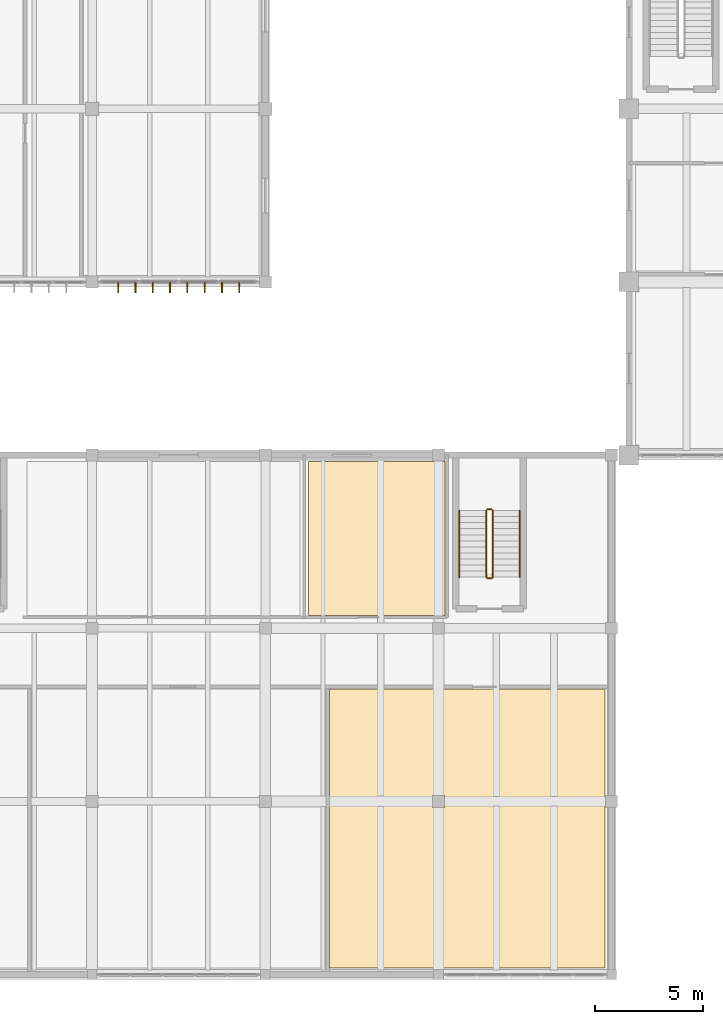
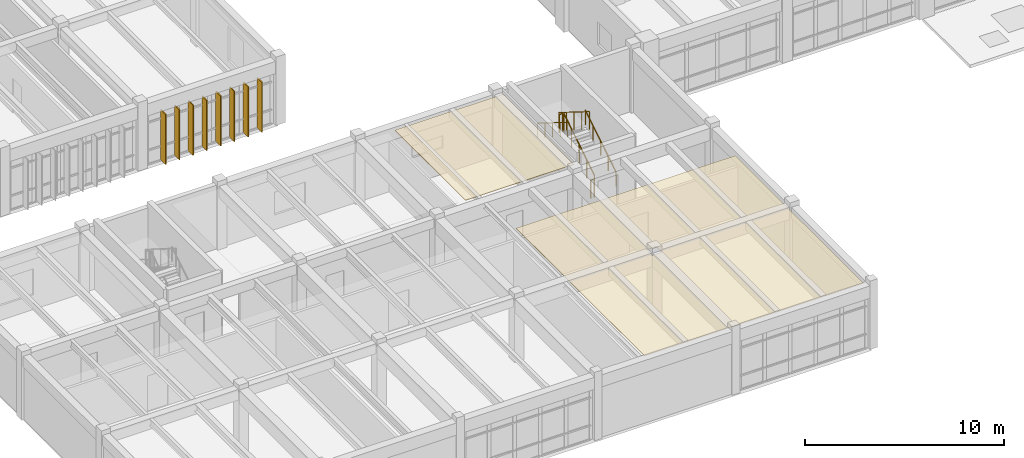
# One storey, part 54 of 67: 8 shading devices, 6 railings, 2 coverings.
"""IFC4 building model written with IfcOpenShell, lengths in metres."""

from ifc_helpers import new_model, si_unit, direction, frame, origin, origin_2d, place, context, subcontext, project, spatial, polyline, rectangle, circle, outline, extrude, material, layer, layer_set, type_object, element, save


model = new_model("IFC4")

# Units and contexts
model_context = context("Model", 3, precision=1e-05, world=origin(), true_north=direction((0.0, 1.0)))
body_context = subcontext(model_context, "Body", "Model", "MODEL_VIEW")
ifc_project = project(units=[si_unit("LENGTHUNIT", "METRE"), si_unit("AREAUNIT", "SQUARE_METRE"), si_unit("VOLUMEUNIT", "CUBIC_METRE"), si_unit("PLANEANGLEUNIT", "RADIAN"), si_unit("MASSUNIT", "GRAM", prefix="KILO")], contexts=[model_context])

# Site, building, storey
site_placement = place(None, origin())
site = spatial("IfcSite", under=ifc_project, at=site_placement, CompositionType="ELEMENT")
building_placement = place(site_placement, origin())
building = spatial("IfcBuilding", under=site, at=building_placement, Name="Tlaxcora Railside Police Headquarters", CompositionType="ELEMENT")
storey_placement = place(building_placement, frame((0.0, 0.0, 4.800048828125)))
storey = spatial("IfcBuildingStorey", under=building, at=storey_placement, Name="L01", CompositionType="ELEMENT", Elevation=4.800048828125)

# Coverings
ifc_material_1 = material(Name="Mineral-fibre acoustic ceiling tile")
ifc_layer_1 = layer(ifc_material_1, 0.034912109375, Name="Mineral-fibre acoustic ceiling tile")
ifc_layer_set_1 = layer_set([ifc_layer_1], Name="Mineral-fibre acoustic ceiling tile")
covering_type = type_object("IfcCoveringType", Name="Acoustic Suspended Ceiling CLG-01", PredefinedType="CEILING", material=ifc_layer_set_1)
covering_1_placement = place(storey_placement, frame((0.0, 0.0, 3.764892578125)))
element("IfcCovering", 1, at=covering_1_placement, inside=storey, type_object=covering_type, Name="Youth Outreach and Mediation Room suspended ceiling", PredefinedType="CEILING", context=body_context, shape_type="SweptSolid", body=[
    extrude(outline(polyline([(32.175048828125, 12.300048828125), (44.89990234375, 12.300048828125), (44.89990234375, 25.199951171875), (32.175048828125, 25.199951171875), (32.175048828125, 12.300048828125)]), holes=[polyline([(37.485107421875, 19.715087890625), (36.9150390625, 19.715087890625), (36.9150390625, 20.284912109375), (37.485107421875, 20.284912109375), (37.485107421875, 19.715087890625)])]), origin(), (0.0, 0.0, 1.0), 0.03515625),
])
covering_2_placement = place(storey_placement, frame((0.0, 0.0, 3.764892578125)))
element("IfcCovering", 2, at=covering_2_placement, inside=storey, type_object=covering_type, Name="Accessible WC and Restrooms V4 L01 suspended ceiling", PredefinedType="CEILING", context=body_context, shape_type="SweptSolid", body=[
    extrude(outline(polyline([(37.5, 28.60009765625), (37.5, 35.699951171875), (31.199951171875, 35.699951171875), (31.199951171875, 28.60009765625), (37.5, 28.60009765625)])), origin(), (0.0, 0.0, 1.0), 0.03515625),
])

# Shading devices
ifc_material_2 = material(Name="Anodised aluminium framing", Category="aluminium")
ifc_layer_2 = layer(ifc_material_2, 0.054931640625, Name="Anodised aluminium framing")
ifc_layer_set_2 = layer_set([ifc_layer_2], Name="Anodised aluminium framing")
shading_device_type = type_object("IfcShadingDeviceType", Name="Solar Control Fin SF-01", PredefinedType="JALOUSIE", material=ifc_layer_set_2)
for number, where, z_axis, x_axis, name in (
    (3, (22.39990234375, 43.739990234375, 0.039794921875), (0.0, 0.0, 1.0), (0.0, -1.0, 0.0), "Vertical solar fin 17"),
    (4, (23.199951171875, 43.739990234375, 0.039794921875), (0.0, 0.0, 1.0), (0.0, -1.0, 0.0), "Vertical solar fin 18"),
    (5, (24.0, 43.739990234375, 0.039794921875), (0.0, 0.0, 1.0), (0.0, -1.0, 0.0), "Vertical solar fin 19"),
    (6, (24.800048828125, 43.739990234375, 0.039794921875), (0.0, 0.0, 1.0), (0.0, -1.0, 0.0), "Vertical solar fin 20"),
    (7, (25.60009765625, 43.739990234375, 0.039794921875), (0.0, 0.0, 1.0), (0.0, -1.0, 0.0), "Vertical solar fin 21"),
    (8, (26.39990234375, 43.739990234375, 0.039794921875), (0.0, 0.0, 1.0), (0.0, -1.0, 0.0), "Vertical solar fin 22"),
    (9, (27.199951171875, 43.739990234375, 0.039794921875), (0.0, 0.0, 1.0), (0.0, -1.0, 0.0), "Vertical solar fin 23"),
    (10, (28.0, 43.739990234375, 0.039794921875), (0.0, 0.0, 1.0), (0.0, -1.0, 0.0), "Vertical solar fin 24"),
):
    element("IfcShadingDevice", number, at=place(storey_placement, frame(where, z_axis=z_axis, x_axis=x_axis)), inside=storey, type_object=shading_device_type, Name=name, PredefinedType="JALOUSIE", context=body_context, shape_type="SweptSolid", body=[
        extrude(rectangle(XDim=0.47998046875, YDim=0.054931640625, at=origin_2d()), origin(), (0.0, 0.0, 1.0), 3.080078125),
    ])

# Railings
ifc_material_3 = material(Name="Steel ASTM A992 Grade 50", Category="steel")
railing_type_1 = type_object("IfcRailingType", Name="Stair Well Guard Balustrade GR-02", PredefinedType="BALUSTRADE", material=ifc_material_3)
railing_1_placement = place(storey_placement, frame((39.7099609375, 30.360107421875, 0.175048828125)))
element("IfcRailing", 11, at=railing_1_placement, inside=storey, type_object=railing_type_1, Name="L01 ST10 stair guard 1", PredefinedType="BALUSTRADE", context=body_context, shape_type="SweptSolid", body=[
    extrude(circle(Radius=0.02392578125, at=origin_2d()), frame((0.0, 0.0, 1.09619140625), z_axis=(0.0, 0.848009633417, 0.529980812513), x_axis=(-1.0, 0.0, 0.0)), (0.0, 0.0, 1.0), 3.6318359375),
    extrude(circle(Radius=0.02099609375, at=origin_2d()), origin(), (0.0, 0.0, 1.0), 1.072021484375),
    extrude(circle(Radius=0.02099609375, at=origin_2d()), frame((0.0, 0.77001953125, 0.481201171875)), (0.0, 0.0, 1.0), 1.072021484375),
    extrude(circle(Radius=0.02099609375, at=origin_2d()), frame((0.0, 1.5400390625, 0.96240234375)), (0.0, 0.0, 1.0), 1.072021484375),
    extrude(circle(Radius=0.02099609375, at=origin_2d()), frame((0.0, 2.309814453125, 1.443603515625)), (0.0, 0.0, 1.0), 1.072021484375),
    extrude(circle(Radius=0.02099609375, at=origin_2d()), frame((0.0, 3.079833984375, 1.9248046875)), (0.0, 0.0, 1.0), 1.072021484375),
])
railing_2_placement = place(storey_placement, frame((39.659912109375, 33.489990234375, 2.099853515625)))
element("IfcRailing", 12, at=railing_2_placement, inside=storey, type_object=railing_type_1, Name="L01 ST10 stair guard 2", PredefinedType="BALUSTRADE", context=body_context, shape_type="SweptSolid", body=[
    extrude(circle(Radius=0.02392578125, at=origin_2d()), frame((0.0, 0.0, 1.09619140625), z_axis=(-1.0, 0.0, 0.0), x_axis=(0.0, -1.0, 0.0)), (0.0, 0.0, 1.0), 0.199951171875),
    extrude(circle(Radius=0.02099609375, at=origin_2d()), origin(), (0.0, 0.0, 1.0), 1.072021484375),
    extrude(circle(Radius=0.02099609375, at=origin_2d()), frame((-0.199951171875, 0.0, 0.0)), (0.0, 0.0, 1.0), 1.072021484375),
])
railing_3_placement = place(storey_placement, frame((39.409912109375, 33.43994140625, 2.27490234375)))
element("IfcRailing", 13, at=railing_3_placement, inside=storey, type_object=railing_type_1, Name="L01 ST10 stair guard 3", PredefinedType="BALUSTRADE", context=body_context, shape_type="SweptSolid", body=[
    extrude(circle(Radius=0.02392578125, at=origin_2d()), frame((0.0, 0.0, 1.09619140625), z_axis=(0.0, -0.847979421464, 0.530029150871), x_axis=(1.0, 0.0, 0.0)), (0.0, 0.0, 1.0), 3.632080078125),
    extrude(circle(Radius=0.02099609375, at=origin_2d()), origin(), (0.0, 0.0, 1.0), 1.072021484375),
    extrude(circle(Radius=0.02099609375, at=origin_2d()), frame((0.0, -0.77001953125, 0.481201171875)), (0.0, 0.0, 1.0), 1.072021484375),
    extrude(circle(Radius=0.02099609375, at=origin_2d()), frame((0.0, -1.5400390625, 0.96240234375)), (0.0, 0.0, 1.0), 1.072021484375),
    extrude(circle(Radius=0.02099609375, at=origin_2d()), frame((0.0, -2.309814453125, 1.44384765625)), (0.0, 0.0, 1.0), 1.072021484375),
    extrude(circle(Radius=0.02099609375, at=origin_2d()), frame((0.0, -3.079833984375, 1.925048828125)), (0.0, 0.0, 1.0), 1.072021484375),
])
railing_4_placement = place(storey_placement, frame((39.659912109375, 30.31005859375, 0.0)))
element("IfcRailing", 14, at=railing_4_placement, inside=storey, type_object=railing_type_1, Name="L01 ST10 stair guard 4", PredefinedType="BALUSTRADE", context=body_context, shape_type="SweptSolid", body=[
    extrude(circle(Radius=0.02392578125, at=origin_2d()), frame((0.0, 0.0, 1.09619140625), z_axis=(-1.0, 0.0, 0.0), x_axis=(0.0, -1.0, 0.0)), (0.0, 0.0, 1.0), 0.199951171875),
    extrude(circle(Radius=0.02099609375, at=origin_2d()), origin(), (0.0, 0.0, 1.0), 1.072021484375),
    extrude(circle(Radius=0.02099609375, at=origin_2d()), frame((-0.199951171875, 0.0, 0.0)), (0.0, 0.0, 1.0), 1.072021484375),
])
railing_type_2 = type_object("IfcRailingType", Name="Stair and Ramp Handrail HR-01", PredefinedType="HANDRAIL", material=ifc_material_3)
railing_5_placement = place(storey_placement, frame((40.9599609375, 30.360107421875, 0.175048828125)))
element("IfcRailing", 15, at=railing_5_placement, inside=storey, type_object=railing_type_2, Name="L01 ST10 stair handrail 1", PredefinedType="HANDRAIL", context=body_context, shape_type="SweptSolid", body=[
    extrude(circle(Radius=0.02392578125, at=origin_2d()), frame((0.0, 0.0, 0.8759765625), z_axis=(0.0, 0.848009633417, 0.529980812513), x_axis=(-1.0, 0.0, 0.0)), (0.0, 0.0, 1.0), 3.6318359375),
    extrude(circle(Radius=0.02099609375, at=origin_2d()), origin(), (0.0, 0.0, 1.0), 0.851806640625),
    extrude(circle(Radius=0.02099609375, at=origin_2d()), frame((0.0, 0.77001953125, 0.481201171875)), (0.0, 0.0, 1.0), 0.851806640625),
    extrude(circle(Radius=0.02099609375, at=origin_2d()), frame((0.0, 1.5400390625, 0.96240234375)), (0.0, 0.0, 1.0), 0.851806640625),
    extrude(circle(Radius=0.02099609375, at=origin_2d()), frame((0.0, 2.309814453125, 1.443603515625)), (0.0, 0.0, 1.0), 0.851806640625),
    extrude(circle(Radius=0.02099609375, at=origin_2d()), frame((0.0, 3.079833984375, 1.9248046875)), (0.0, 0.0, 1.0), 0.851806640625),
])
railing_6_placement = place(storey_placement, frame((38.159912109375, 33.43994140625, 2.27490234375)))
element("IfcRailing", 16, at=railing_6_placement, inside=storey, type_object=railing_type_2, Name="L01 ST10 stair handrail 2", PredefinedType="HANDRAIL", context=body_context, shape_type="SweptSolid", body=[
    extrude(circle(Radius=0.02392578125, at=origin_2d()), frame((0.0, 0.0, 0.8759765625), z_axis=(0.0, -0.847979421464, 0.530029150871), x_axis=(1.0, 0.0, 0.0)), (0.0, 0.0, 1.0), 3.632080078125),
    extrude(circle(Radius=0.02099609375, at=origin_2d()), origin(), (0.0, 0.0, 1.0), 0.851806640625),
    extrude(circle(Radius=0.02099609375, at=origin_2d()), frame((0.0, -0.77001953125, 0.481201171875)), (0.0, 0.0, 1.0), 0.851806640625),
    extrude(circle(Radius=0.02099609375, at=origin_2d()), frame((0.0, -1.5400390625, 0.96240234375)), (0.0, 0.0, 1.0), 0.851806640625),
    extrude(circle(Radius=0.02099609375, at=origin_2d()), frame((0.0, -2.309814453125, 1.44384765625)), (0.0, 0.0, 1.0), 0.851806640625),
    extrude(circle(Radius=0.02099609375, at=origin_2d()), frame((0.0, -3.079833984375, 1.925048828125)), (0.0, 0.0, 1.0), 0.851806640625),
])

save(model, "model.ifc")
